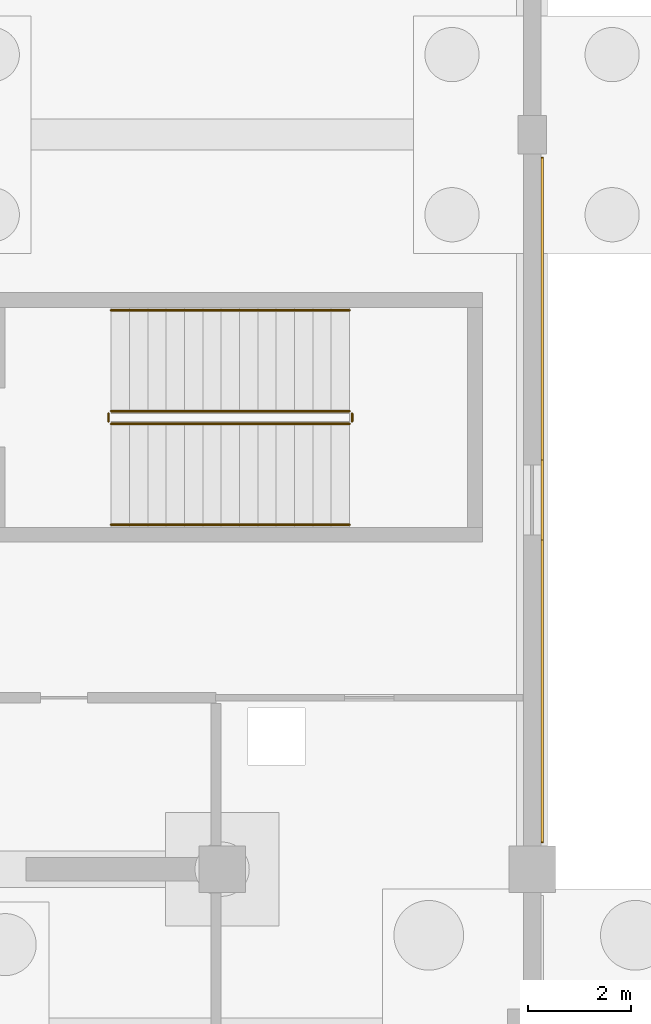
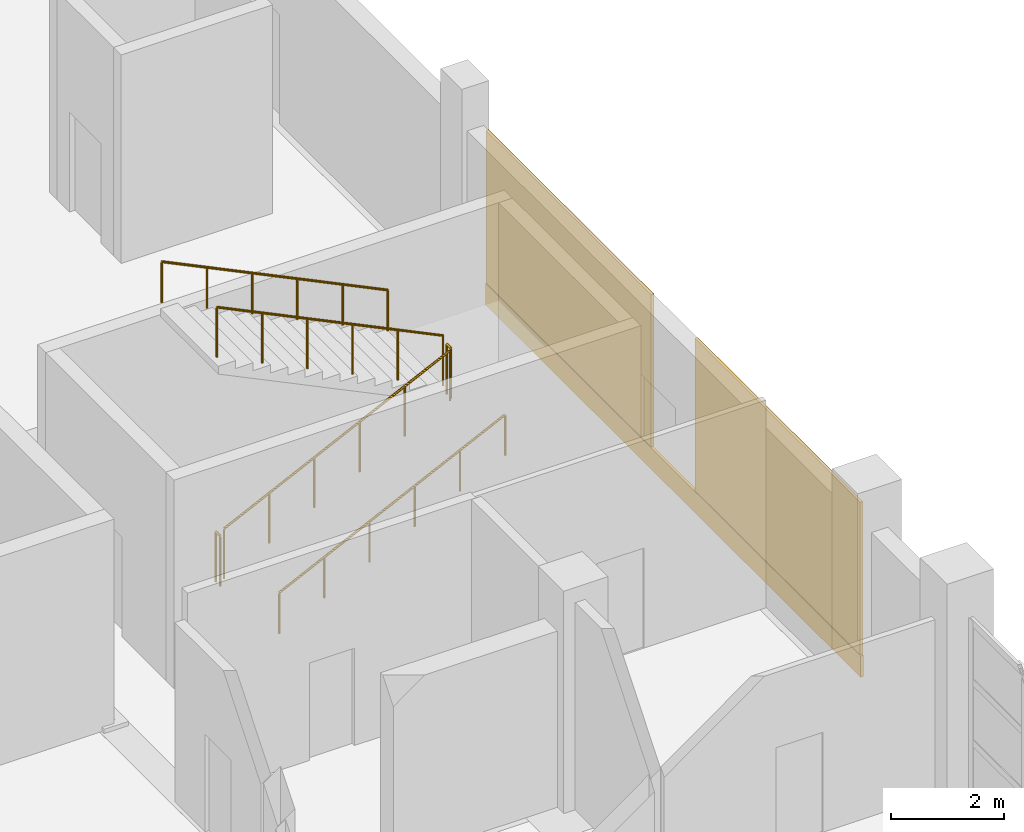
# One storey, part 73 of 82: 6 railings, 3 coverings.
"""IFC4 building model written with IfcOpenShell, lengths in metres."""

from ifc_helpers import new_model, si_unit, direction, frame, origin, origin_2d, place, context, subcontext, project, spatial, rectangle, circle, extrude, material, layer, layer_set, type_object, element, save


model = new_model("IFC4")

# Units and contexts
model_context = context("Model", 3, precision=1e-05, world=origin(), true_north=direction((0.0, 1.0)))
body_context = subcontext(model_context, "Body", "Model", "MODEL_VIEW")
ifc_project = project(units=[si_unit("LENGTHUNIT", "METRE"), si_unit("AREAUNIT", "SQUARE_METRE"), si_unit("VOLUMEUNIT", "CUBIC_METRE"), si_unit("PLANEANGLEUNIT", "RADIAN"), si_unit("MASSUNIT", "GRAM", prefix="KILO")], contexts=[model_context])

# Site, building, storey
site_placement = place(None, origin())
site = spatial("IfcSite", under=ifc_project, at=site_placement, CompositionType="ELEMENT")
building_placement = place(site_placement, origin())
building = spatial("IfcBuilding", under=site, at=building_placement, Name="Kelmvaro Bay Concert Hall", CompositionType="ELEMENT")
storey_placement = place(building_placement, origin())
storey = spatial("IfcBuildingStorey", under=building, at=storey_placement, Name="L00", CompositionType="ELEMENT", Elevation=0.0)

# Coverings
ifc_material_1 = material(Name="Honed Florida Limestone Travertine", Category="masonry")
ifc_layer = layer(ifc_material_1, 0.054931640625)
ifc_layer_set = layer_set([ifc_layer], Name="Honed Florida Limestone Travertine")
covering_type = type_object("IfcCoveringType", Name="Honed Florida Travertine Rainscreen Cladding 55", PredefinedType="CLADDING", material=ifc_layer_set)
covering_1_placement = place(storey_placement, frame((60.195556640625, 75.7275390625, 0.0400390625), z_axis=(0.0, 0.0, 1.0), x_axis=(0.0, -1.0, 0.0)))
element("IfcCovering", 1, at=covering_1_placement, inside=storey, type_object=covering_type, Name="L00 Travertine Sill Band 0015", PredefinedType="CLADDING", context=body_context, shape_type="SweptSolid", body=[
    extrude(rectangle(XDim=13.27490234375, YDim=0.054931640625, at=origin_2d()), origin(), (0.0, 0.0, 1.0), 0.4599609375),
])
covering_2_placement = place(storey_placement, frame((60.195556640625, 79.423583984375, 0.52001953125), z_axis=(0.0, 0.0, 1.0), x_axis=(0.0, -1.0, 0.0)))
element("IfcCovering", 2, at=covering_2_placement, inside=storey, type_object=covering_type, Name="L00 Travertine Pier Panel 0016", PredefinedType="CLADDING", context=body_context, shape_type="SweptSolid", body=[
    extrude(rectangle(XDim=5.843017578125, YDim=0.054931640625, at=origin_2d()), origin(), (0.0, 0.0, 1.0), 3.2890625),
])
covering_3_placement = place(storey_placement, frame((60.195556640625, 72.03125, 0.52001953125), z_axis=(0.0, 0.0, 1.0), x_axis=(0.0, -1.0, 0.0)))
element("IfcCovering", 3, at=covering_3_placement, inside=storey, type_object=covering_type, Name="L00 Travertine Pier Panel 0017", PredefinedType="CLADDING", context=body_context, shape_type="SweptSolid", body=[
    extrude(rectangle(XDim=5.842041015625, YDim=0.054931640625, at=origin_2d()), origin(), (0.0, 0.0, 1.0), 3.2890625),
])

# Railings
ifc_material_2 = material(Name="Brushed Stainless Steel 316", Category="steel")
railing_type_1 = type_object("IfcRailingType", Name="Stair Stainless Wall Handrail 900", PredefinedType="HANDRAIL", material=ifc_material_2)
railing_1_placement = place(storey_placement, frame((51.85009765625, 75.25, 0.17138671875)))
element("IfcRailing", 4, at=railing_1_placement, inside=storey, type_object=railing_type_1, Name="L00 ST-04 stair handrail 1", PredefinedType="HANDRAIL", context=body_context, shape_type="SweptSolid", body=[
    extrude(circle(Radius=0.02392578125, at=origin_2d()), frame((0.0, 0.0, 0.8759765625), z_axis=(0.900506611743, 0.0, 0.434842318785), x_axis=(0.0, 1.0, 0.0)), (0.0, 0.0, 1.0), 5.125),
    extrude(circle(Radius=0.02099609375, at=origin_2d()), origin(), (0.0, 0.0, 1.0), 0.851806640625),
    extrude(circle(Radius=0.02099609375, at=origin_2d()), frame((0.923095703125, 0.0, 0.44580078125)), (0.0, 0.0, 1.0), 0.851806640625),
    extrude(circle(Radius=0.02099609375, at=origin_2d()), frame((1.845947265625, 0.0, 0.891357421875)), (0.0, 0.0, 1.0), 0.851806640625),
    extrude(circle(Radius=0.02099609375, at=origin_2d()), frame((2.76904296875, 0.0, 1.337158203125)), (0.0, 0.0, 1.0), 0.851806640625),
    extrude(circle(Radius=0.02099609375, at=origin_2d()), frame((3.69189453125, 0.0, 1.78271484375)), (0.0, 0.0, 1.0), 0.851806640625),
    extrude(circle(Radius=0.02099609375, at=origin_2d()), frame((4.614990234375, 0.0, 2.228515625)), (0.0, 0.0, 1.0), 0.851806640625),
])
railing_2_placement = place(storey_placement, frame((56.465087890625, 79.39990234375, 2.571533203125)))
element("IfcRailing", 5, at=railing_2_placement, inside=storey, type_object=railing_type_1, Name="L00 ST-04 stair handrail 2", PredefinedType="HANDRAIL", context=body_context, shape_type="SweptSolid", body=[
    extrude(circle(Radius=0.02392578125, at=origin_2d()), frame((0.0, 0.0, 0.8759765625), z_axis=(-0.900506611743, 0.0, 0.434842318785), x_axis=(0.0, -1.0, 0.0)), (0.0, 0.0, 1.0), 5.125),
    extrude(circle(Radius=0.02099609375, at=origin_2d()), origin(), (0.0, 0.0, 1.0), 0.851806640625),
    extrude(circle(Radius=0.02099609375, at=origin_2d()), frame((-0.923095703125, 0.0, 0.44580078125)), (0.0, 0.0, 1.0), 0.851806640625),
    extrude(circle(Radius=0.02099609375, at=origin_2d()), frame((-1.845947265625, 0.0, 0.891357421875)), (0.0, 0.0, 1.0), 0.851806640625),
    extrude(circle(Radius=0.02099609375, at=origin_2d()), frame((-2.76904296875, 0.0, 1.337158203125)), (0.0, 0.0, 1.0), 0.851806640625),
    extrude(circle(Radius=0.02099609375, at=origin_2d()), frame((-3.69189453125, 0.0, 1.78271484375)), (0.0, 0.0, 1.0), 0.851806640625),
    extrude(circle(Radius=0.02099609375, at=origin_2d()), frame((-4.614990234375, 0.0, 2.228515625)), (0.0, 0.0, 1.0), 0.851806640625),
])
ifc_material_3 = material(Name="Powder-Coated Steel ASTM A500", Category="steel")
railing_type_2 = type_object("IfcRailingType", Name="Stair Well Painted Steel Guard 1100", PredefinedType="BALUSTRADE", material=ifc_material_3)
railing_3_placement = place(storey_placement, frame((51.85009765625, 77.199951171875, 0.17138671875)))
element("IfcRailing", 6, at=railing_3_placement, inside=storey, type_object=railing_type_2, Name="L00 ST-04 stair guard 1", PredefinedType="BALUSTRADE", context=body_context, shape_type="SweptSolid", body=[
    extrude(circle(Radius=0.02392578125, at=origin_2d()), frame((0.0, 0.0, 1.076171875), z_axis=(0.900506611743, 0.0, 0.434842318785), x_axis=(0.0, 1.0, 0.0)), (0.0, 0.0, 1.0), 5.125),
    extrude(circle(Radius=0.02099609375, at=origin_2d()), origin(), (0.0, 0.0, 1.0), 1.052001953125),
    extrude(circle(Radius=0.02099609375, at=origin_2d()), frame((0.923095703125, 0.0, 0.44580078125)), (0.0, 0.0, 1.0), 1.052001953125),
    extrude(circle(Radius=0.02099609375, at=origin_2d()), frame((1.845947265625, 0.0, 0.891357421875)), (0.0, 0.0, 1.0), 1.052001953125),
    extrude(circle(Radius=0.02099609375, at=origin_2d()), frame((2.76904296875, 0.0, 1.337158203125)), (0.0, 0.0, 1.0), 1.052001953125),
    extrude(circle(Radius=0.02099609375, at=origin_2d()), frame((3.69189453125, 0.0, 1.78271484375)), (0.0, 0.0, 1.0), 1.052001953125),
    extrude(circle(Radius=0.02099609375, at=origin_2d()), frame((4.614990234375, 0.0, 2.228515625)), (0.0, 0.0, 1.0), 1.052001953125),
])
railing_4_placement = place(storey_placement, frame((56.514892578125, 77.25, 2.39990234375)))
element("IfcRailing", 7, at=railing_4_placement, inside=storey, type_object=railing_type_2, Name="L00 ST-04 stair guard 2", PredefinedType="BALUSTRADE", context=body_context, shape_type="SweptSolid", body=[
    extrude(circle(Radius=0.02392578125, at=origin_2d()), frame((0.0, 0.0, 1.076171875), z_axis=(0.0, 1.0, 0.0), x_axis=(-1.0, 0.0, 0.0)), (0.0, 0.0, 1.0), 0.14990234375),
    extrude(circle(Radius=0.02099609375, at=origin_2d()), origin(), (0.0, 0.0, 1.0), 1.052001953125),
    extrude(circle(Radius=0.02099609375, at=origin_2d()), frame((0.0, 0.14990234375, 0.0)), (0.0, 0.0, 1.0), 1.052001953125),
])
railing_5_placement = place(storey_placement, frame((56.465087890625, 77.449951171875, 2.571533203125)))
element("IfcRailing", 8, at=railing_5_placement, inside=storey, type_object=railing_type_2, Name="L00 ST-04 stair guard 3", PredefinedType="BALUSTRADE", context=body_context, shape_type="SweptSolid", body=[
    extrude(circle(Radius=0.02392578125, at=origin_2d()), frame((0.0, 0.0, 1.076171875), z_axis=(-0.900506611743, 0.0, 0.434842318785), x_axis=(0.0, -1.0, 0.0)), (0.0, 0.0, 1.0), 5.125),
    extrude(circle(Radius=0.02099609375, at=origin_2d()), origin(), (0.0, 0.0, 1.0), 1.052001953125),
    extrude(circle(Radius=0.02099609375, at=origin_2d()), frame((-0.923095703125, 0.0, 0.44580078125)), (0.0, 0.0, 1.0), 1.052001953125),
    extrude(circle(Radius=0.02099609375, at=origin_2d()), frame((-1.845947265625, 0.0, 0.891357421875)), (0.0, 0.0, 1.0), 1.052001953125),
    extrude(circle(Radius=0.02099609375, at=origin_2d()), frame((-2.76904296875, 0.0, 1.337158203125)), (0.0, 0.0, 1.0), 1.052001953125),
    extrude(circle(Radius=0.02099609375, at=origin_2d()), frame((-3.69189453125, 0.0, 1.78271484375)), (0.0, 0.0, 1.0), 1.052001953125),
    extrude(circle(Radius=0.02099609375, at=origin_2d()), frame((-4.614990234375, 0.0, 2.228515625)), (0.0, 0.0, 1.0), 1.052001953125),
])
railing_6_placement = place(storey_placement, frame((51.800048828125, 77.25, 0.0)))
element("IfcRailing", 9, at=railing_6_placement, inside=storey, type_object=railing_type_2, Name="L00 ST-04 stair guard 4", PredefinedType="BALUSTRADE", context=body_context, shape_type="SweptSolid", body=[
    extrude(circle(Radius=0.02392578125, at=origin_2d()), frame((0.0, 0.0, 1.076171875), z_axis=(0.0, 1.0, 0.0), x_axis=(-1.0, 0.0, 0.0)), (0.0, 0.0, 1.0), 0.14990234375),
    extrude(circle(Radius=0.02099609375, at=origin_2d()), origin(), (0.0, 0.0, 1.0), 1.052001953125),
    extrude(circle(Radius=0.02099609375, at=origin_2d()), frame((0.0, 0.14990234375, 0.0)), (0.0, 0.0, 1.0), 1.052001953125),
])

save(model, "model.ifc")
